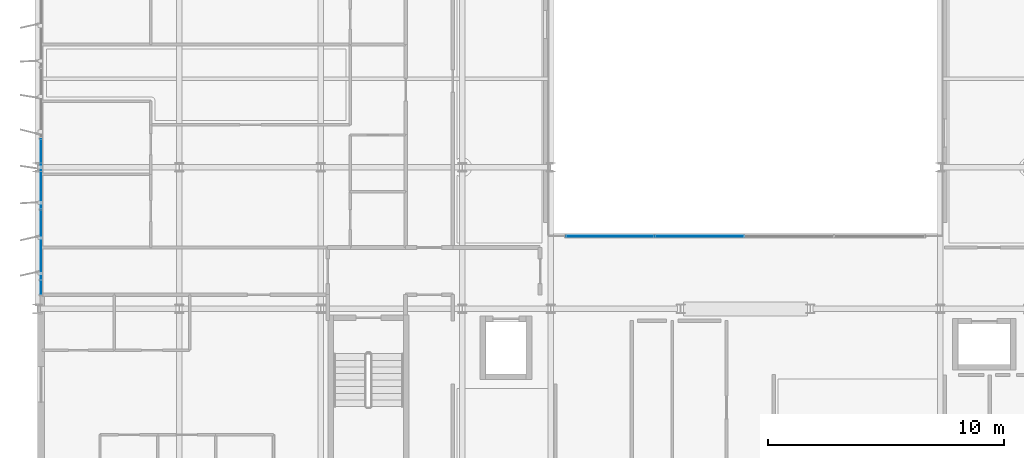
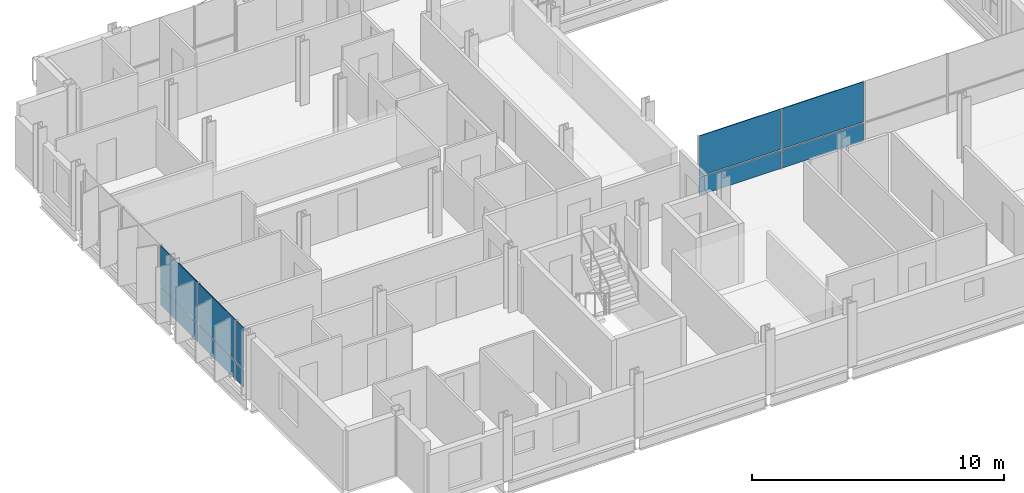
# One storey, part 24 of 40: 10 plates, 2 elements without a shape of their own.
"""IFC4 building model written with IfcOpenShell, lengths in metres."""

from ifc_helpers import new_model, si_unit, direction, frame, origin, origin_2d, place, context, subcontext, project, spatial, rectangle, extrude, material, layer, layer_set, type_object, element, aggregate, save


model = new_model("IFC4")

# Units and contexts
model_context = context("Model", 3, precision=1e-05, world=origin(), true_north=direction((0.0, 1.0)))
body_context = subcontext(model_context, "Body", "Model", "MODEL_VIEW")
ifc_project = project(units=[si_unit("LENGTHUNIT", "METRE"), si_unit("AREAUNIT", "SQUARE_METRE"), si_unit("VOLUMEUNIT", "CUBIC_METRE"), si_unit("PLANEANGLEUNIT", "RADIAN"), si_unit("MASSUNIT", "GRAM", prefix="KILO")], contexts=[model_context])

# Site, building, storey
site_placement = place(None, origin())
site = spatial("IfcSite", under=ifc_project, at=site_placement, CompositionType="ELEMENT")
building_placement = place(site_placement, origin())
building = spatial("IfcBuilding", under=site, at=building_placement, Name="Brevholm Reach", CompositionType="ELEMENT")
storey_placement = place(building_placement, frame((0.0, 0.0, 160.39990234375)))
storey = spatial("IfcBuildingStorey", under=building, at=storey_placement, Name="L48", CompositionType="ELEMENT", Elevation=160.39990234375)

# Curtain wall, plates
ifc_material_1 = material(Name="Dark Anodised Aluminium 6063-T6 and Solar-Control Glass", Category="aluminium")
ifc_layer_1 = layer(ifc_material_1, 0.14990234375)
ifc_layer_set_1 = layer_set([ifc_layer_1], Name="Dark Anodised Aluminium 6063-T6 and Solar-Control Glass")
curtain_wall_type_1 = type_object("IfcCurtainWallType", Name="CW-01", PredefinedType="NOTDEFINED", material=ifc_layer_set_1)
curtain_wall_1_placement = place(storey_placement, origin())
curtain_wall_1 = element("IfcCurtainWall", 1, at=curtain_wall_1_placement, inside=storey, type_object=curtain_wall_type_1, Name="L48 Curtain Wall CW-01", PredefinedType="NOTDEFINED")
ifc_material_2 = material(Name="Dark Solar-Control Double-Glazed IGU Glass", Category="glass")
ifc_layer_2 = layer(ifc_material_2, 0.028076171875)
ifc_layer_set_2 = layer_set([ifc_layer_2], Name="Dark Solar-Control Double-Glazed IGU Glass")
plate_type_1 = type_object("IfcPlateType", Name="CWP-GLZ-28", PredefinedType="CURTAIN_PANEL", material=ifc_layer_set_2)
plate_1_placement = place(storey_placement, frame((0.14990234375, 15.719970703125, 0.0), z_axis=(0.0, 0.0, 1.0), x_axis=(0.0, -1.0, 0.0)))
plate_1 = element("IfcPlate", 2, at=plate_1_placement, type_object=plate_type_1, Name="CP-01 Glazing Panel 3.1", PredefinedType="CURTAIN_PANEL", context=body_context, shape_type="SweptSolid", body=[
    extrude(rectangle(XDim=2.93505859375, YDim=0.028076171875, at=origin_2d()), origin(), (0.0, 0.0, 1.0), 0.867431640625),
])
plate_2_placement = place(storey_placement, frame((0.14990234375, 15.719970703125, 0.9326171875), z_axis=(0.0, 0.0, 1.0), x_axis=(0.0, -1.0, 0.0)))
plate_2 = element("IfcPlate", 3, at=plate_2_placement, type_object=plate_type_1, Name="CP-01 Glazing Panel 3.2", PredefinedType="CURTAIN_PANEL", context=body_context, shape_type="SweptSolid", body=[
    extrude(rectangle(XDim=2.93505859375, YDim=0.028076171875, at=origin_2d()), origin(), (0.0, 0.0, 1.0), 1.947509765625),
])
plate_3_placement = place(storey_placement, frame((0.14990234375, 12.719970703125, 0.0), z_axis=(0.0, 0.0, 1.0), x_axis=(0.0, -1.0, 0.0)))
plate_3 = element("IfcPlate", 4, at=plate_3_placement, type_object=plate_type_1, Name="CP-01 Glazing Panel 4.1", PredefinedType="CURTAIN_PANEL", context=body_context, shape_type="SweptSolid", body=[
    extrude(rectangle(XDim=2.93505859375, YDim=0.028076171875, at=origin_2d()), origin(), (0.0, 0.0, 1.0), 0.867431640625),
])
plate_4_placement = place(storey_placement, frame((0.14990234375, 12.719970703125, 0.9326171875), z_axis=(0.0, 0.0, 1.0), x_axis=(0.0, -1.0, 0.0)))
plate_4 = element("IfcPlate", 5, at=plate_4_placement, type_object=plate_type_1, Name="CP-01 Glazing Panel 4.2", PredefinedType="CURTAIN_PANEL", context=body_context, shape_type="SweptSolid", body=[
    extrude(rectangle(XDim=2.93505859375, YDim=0.028076171875, at=origin_2d()), origin(), (0.0, 0.0, 1.0), 1.947509765625),
])
plate_5_placement = place(storey_placement, frame((0.14990234375, 10.9013671875, 0.0), z_axis=(0.0, 0.0, 1.0), x_axis=(0.0, -1.0, 0.0)))
plate_5 = element("IfcPlate", 6, at=plate_5_placement, type_object=plate_type_1, Name="CP-01 Glazing Panel 5.1", PredefinedType="CURTAIN_PANEL", context=body_context, shape_type="SweptSolid", body=[
    extrude(rectangle(XDim=0.572509765625, YDim=0.028076171875, at=origin_2d()), origin(), (0.0, 0.0, 1.0), 0.867431640625),
])
plate_6_placement = place(storey_placement, frame((0.14990234375, 10.9013671875, 0.9326171875), z_axis=(0.0, 0.0, 1.0), x_axis=(0.0, -1.0, 0.0)))
plate_6 = element("IfcPlate", 7, at=plate_6_placement, type_object=plate_type_1, Name="CP-01 Glazing Panel 5.2", PredefinedType="CURTAIN_PANEL", context=body_context, shape_type="SweptSolid", body=[
    extrude(rectangle(XDim=0.572509765625, YDim=0.028076171875, at=origin_2d()), origin(), (0.0, 0.0, 1.0), 1.947509765625),
])
aggregate(curtain_wall_1, [plate_1, plate_2, plate_3, plate_4, plate_5, plate_6])

ifc_material_3 = material(Name="Dark Anodised Aluminium 6063-T6 and Solar-Control Glass", Category="aluminium")
ifc_layer_3 = layer(ifc_material_3, 0.139892578125)
ifc_layer_set_3 = layer_set([ifc_layer_3], Name="Dark Anodised Aluminium 6063-T6 and Solar-Control Glass")
curtain_wall_type_2 = type_object("IfcCurtainWallType", Name="CW-02", PredefinedType="NOTDEFINED", material=ifc_layer_set_3)
curtain_wall_2_placement = place(storey_placement, origin())
curtain_wall_2 = element("IfcCurtainWall", 8, at=curtain_wall_2_placement, inside=storey, type_object=curtain_wall_type_2, Name="L48 Curtain Wall CW-02", PredefinedType="NOTDEFINED")
ifc_material_4 = material(Name="Low-Iron Laminated Acoustic Glass", Category="glass")
ifc_layer_4 = layer(ifc_material_4, 0.035888671875)
ifc_layer_set_4 = layer_set([ifc_layer_4], Name="Low-Iron Laminated Acoustic Glass")
plate_type_2 = type_object("IfcPlateType", Name="CWP-GLZ-36", PredefinedType="CURTAIN_PANEL", material=ifc_layer_set_4)
plate_7_placement = place(storey_placement, frame((24.264892578125, 13.080078125, 0.0), z_axis=(0.0, 0.0, 1.0), x_axis=(1.0, 0.0, 0.0)))
plate_7 = element("IfcPlate", 9, at=plate_7_placement, type_object=plate_type_2, Name="CP-02 Glazing Panel 1.1", PredefinedType="CURTAIN_PANEL", context=body_context, shape_type="SweptSolid", body=[
    extrude(rectangle(XDim=3.7099609375, YDim=0.035888671875, at=origin_2d()), origin(), (0.0, 0.0, 1.0), 0.8701171875),
])
plate_8_placement = place(storey_placement, frame((24.264892578125, 13.080078125, 0.93017578125), z_axis=(0.0, 0.0, 1.0), x_axis=(1.0, 0.0, 0.0)))
plate_8 = element("IfcPlate", 10, at=plate_8_placement, type_object=plate_type_2, Name="CP-02 Glazing Panel 1.2", PredefinedType="CURTAIN_PANEL", context=body_context, shape_type="SweptSolid", body=[
    extrude(rectangle(XDim=3.7099609375, YDim=0.035888671875, at=origin_2d()), origin(), (0.0, 0.0, 1.0), 1.949951171875),
])
plate_9_placement = place(storey_placement, frame((28.050048828125, 13.080078125, 0.0), z_axis=(0.0, 0.0, 1.0), x_axis=(1.0, 0.0, 0.0)))
plate_9 = element("IfcPlate", 11, at=plate_9_placement, type_object=plate_type_2, Name="CP-02 Glazing Panel 2.1", PredefinedType="CURTAIN_PANEL", context=body_context, shape_type="SweptSolid", body=[
    extrude(rectangle(XDim=3.739990234375, YDim=0.035888671875, at=origin_2d()), origin(), (0.0, 0.0, 1.0), 0.8701171875),
])
plate_10_placement = place(storey_placement, frame((28.050048828125, 13.080078125, 0.93017578125), z_axis=(0.0, 0.0, 1.0), x_axis=(1.0, 0.0, 0.0)))
plate_10 = element("IfcPlate", 12, at=plate_10_placement, type_object=plate_type_2, Name="CP-02 Glazing Panel 2.2", PredefinedType="CURTAIN_PANEL", context=body_context, shape_type="SweptSolid", body=[
    extrude(rectangle(XDim=3.739990234375, YDim=0.035888671875, at=origin_2d()), origin(), (0.0, 0.0, 1.0), 1.949951171875),
])
aggregate(curtain_wall_2, [plate_7, plate_8, plate_9, plate_10])

save(model, "model.ifc")
